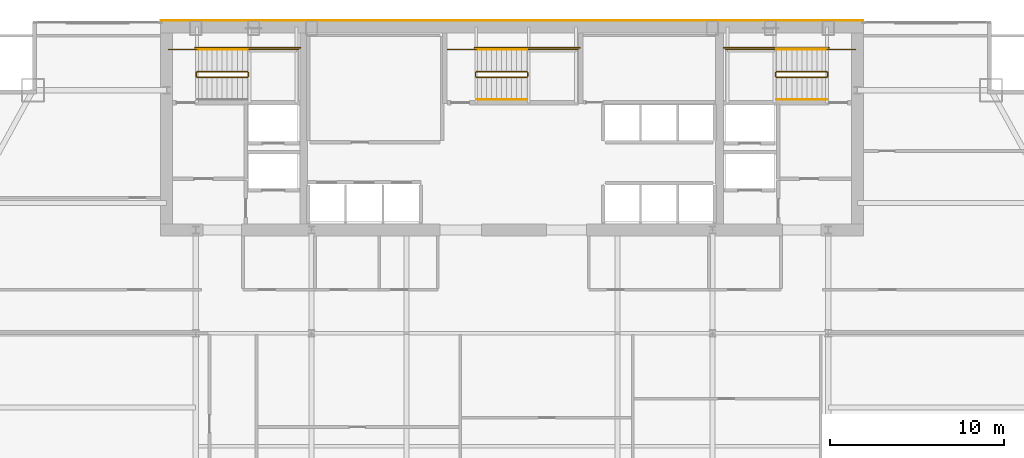
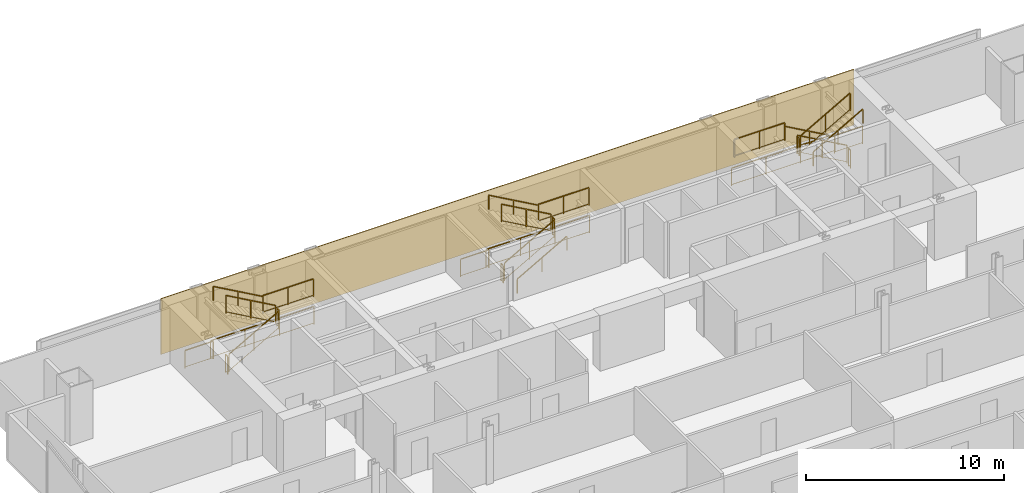
# One storey, part 29 of 29: 26 railings, 1 covering.
"""IFC4 building model written with IfcOpenShell, lengths in metres."""

from ifc_helpers import new_model, si_unit, direction, frame, origin, origin_2d, place, context, subcontext, project, spatial, polyline, rectangle, outline, extrude, material, layer, layer_set, type_object, element, save


model = new_model("IFC4")

# Units and contexts
model_context = context("Model", 3, precision=1e-05, world=origin(), true_north=direction((0.0, 1.0)))
body_context = subcontext(model_context, "Body", "Model", "MODEL_VIEW")
ifc_project = project(units=[si_unit("LENGTHUNIT", "METRE"), si_unit("AREAUNIT", "SQUARE_METRE"), si_unit("VOLUMEUNIT", "CUBIC_METRE"), si_unit("PLANEANGLEUNIT", "RADIAN"), si_unit("MASSUNIT", "GRAM", prefix="KILO")], contexts=[model_context])

# Site, building, storey
site_placement = place(None, origin())
site = spatial("IfcSite", under=ifc_project, at=site_placement, CompositionType="ELEMENT")
building_placement = place(site_placement, origin())
building = spatial("IfcBuilding", under=site, at=building_placement, Name="Khoronbel Lancet Exchange", CompositionType="ELEMENT")
storey_placement = place(building_placement, frame((0.0, 0.0, 143.39990234375)))
storey = spatial("IfcBuildingStorey", under=building, at=storey_placement, Name="L35", CompositionType="ELEMENT", Elevation=143.39990234375)

# Covering
ifc_material_1 = material(Name="Honed Egyptian Limestone & Bronze Rainscreen", Category="masonry")
ifc_layer = layer(ifc_material_1, 0.050048828125, Name="Honed Egyptian Limestone & Bronze Rainscreen")
ifc_layer_set = layer_set([ifc_layer], Name="Honed Egyptian Limestone & Bronze Rainscreen")
covering_type = type_object("IfcCoveringType", Name="COV-CLAD1", PredefinedType="CLADDING", material=ifc_layer_set)
covering_placement = place(storey_placement, origin())
element("IfcCovering", 1, at=covering_placement, inside=storey, type_object=covering_type, Name="Level L35 north rear-core stone and bronze rainscreen cladding", PredefinedType="CLADDING", context=body_context, shape_type="SweptSolid", body=[
    extrude(outline(polyline([(16.199951171875, 53.699951171875), (56.699951171875, 53.699951171875), (56.699951171875, 53.75), (16.199951171875, 53.75), (16.199951171875, 53.699951171875)])), origin(), (0.0, 0.0, 1.0), 3.440185546875),
])

# Railings
ifc_material_2 = material(Name="Painted Steel Balustrade", Category="steel")
railing_type_1 = type_object("IfcRailingType", Name="RL-STG110", PredefinedType="GUARDRAIL", material=ifc_material_2)
railing_1_placement = place(storey_placement, frame((18.300048828125, 50.449951171875, 0.163818359375)))
element("IfcRailing", 2, at=railing_1_placement, inside=storey, type_object=railing_type_1, Name="L35 ST1 stair guard 1", PredefinedType="GUARDRAIL", context=body_context, shape_type="SweptSolid", body=[
    extrude(rectangle(XDim=0.048095703125, YDim=0.048095703125, at=origin_2d()), frame((0.0, 0.0, 1.09619140625), z_axis=(0.870928581787, 0.0, 0.491409610636), x_axis=(0.0, 1.0, 0.0)), (0.0, 0.0, 1.0), 3.32958984375),
    extrude(rectangle(XDim=0.02392578125, YDim=0.02392578125, at=origin_2d()), frame((0.0, 0.0, 0.080078125), z_axis=(0.870928581787, 0.0, 0.491409610636), x_axis=(0.0, 1.0, 0.0)), (0.0, 0.0, 1.0), 3.32958984375),
    extrude(rectangle(XDim=0.0419921875, YDim=0.0419921875, at=origin_2d()), origin(), (0.0, 0.0, 1.0), 1.072021484375),
    extrude(rectangle(XDim=0.0419921875, YDim=0.0419921875, at=origin_2d()), frame((1.449951171875, 0.0, 0.818115234375)), (0.0, 0.0, 1.0), 1.072021484375),
    extrude(rectangle(XDim=0.0419921875, YDim=0.0419921875, at=origin_2d()), frame((2.89990234375, 0.0, 1.63623046875)), (0.0, 0.0, 1.0), 1.072021484375),
])
railing_2_placement = place(storey_placement, frame((21.25, 50.5, 1.800048828125)))
element("IfcRailing", 3, at=railing_2_placement, inside=storey, type_object=railing_type_1, Name="L35 ST1 stair guard 2", PredefinedType="GUARDRAIL", context=body_context, shape_type="SweptSolid", body=[
    extrude(rectangle(XDim=0.048095703125, YDim=0.048095703125, at=origin_2d()), frame((0.0, 0.0, 1.09619140625), z_axis=(0.0, 1.0, 0.0), x_axis=(-1.0, 0.0, 0.0)), (0.0, 0.0, 1.0), 0.219970703125),
    extrude(rectangle(XDim=0.02392578125, YDim=0.02392578125, at=origin_2d()), frame((0.0, 0.0, 0.080078125), z_axis=(0.0, 1.0, 0.0), x_axis=(-1.0, 0.0, 0.0)), (0.0, 0.0, 1.0), 0.219970703125),
    extrude(rectangle(XDim=0.0419921875, YDim=0.0419921875, at=origin_2d()), origin(), (0.0, 0.0, 1.0), 1.072021484375),
    extrude(rectangle(XDim=0.0419921875, YDim=0.0419921875, at=origin_2d()), frame((0.0, 0.219970703125, 0.0)), (0.0, 0.0, 1.0), 1.072021484375),
])
railing_3_placement = place(storey_placement, frame((21.199951171875, 52.050048828125, 1.800048828125)))
element("IfcRailing", 4, at=railing_3_placement, inside=storey, type_object=railing_type_1, Name="L35 ST1 stair guard 3", PredefinedType="GUARDRAIL", context=body_context, shape_type="SweptSolid", body=[
    extrude(rectangle(XDim=0.048095703125, YDim=0.048095703125, at=origin_2d()), frame((0.0, 0.0, 1.09619140625), z_axis=(1.0, 0.0, 0.0), x_axis=(0.0, 1.0, 0.0)), (0.0, 0.0, 1.0), 2.949951171875),
    extrude(rectangle(XDim=0.02392578125, YDim=0.02392578125, at=origin_2d()), frame((0.0, 0.0, 0.080078125), z_axis=(1.0, 0.0, 0.0), x_axis=(0.0, 1.0, 0.0)), (0.0, 0.0, 1.0), 2.949951171875),
    extrude(rectangle(XDim=0.0419921875, YDim=0.0419921875, at=origin_2d()), origin(), (0.0, 0.0, 1.0), 1.072021484375),
    extrude(rectangle(XDim=0.0419921875, YDim=0.0419921875, at=origin_2d()), frame((1.47509765625, 0.0, 0.0)), (0.0, 0.0, 1.0), 1.072021484375),
    extrude(rectangle(XDim=0.0419921875, YDim=0.0419921875, at=origin_2d()), frame((2.949951171875, 0.0, 0.0)), (0.0, 0.0, 1.0), 1.072021484375),
])
railing_4_placement = place(storey_placement, frame((21.199951171875, 50.77001953125, 1.963623046875)))
element("IfcRailing", 5, at=railing_4_placement, inside=storey, type_object=railing_type_1, Name="L35 ST1 stair guard 4", PredefinedType="GUARDRAIL", context=body_context, shape_type="SweptSolid", body=[
    extrude(rectangle(XDim=0.048095703125, YDim=0.048095703125, at=origin_2d()), frame((0.0, 0.0, 1.09619140625), z_axis=(-0.870897200241, 0.0, 0.491465224214), x_axis=(0.0, -1.0, 0.0)), (0.0, 0.0, 1.0), 3.329833984375),
    extrude(rectangle(XDim=0.02392578125, YDim=0.02392578125, at=origin_2d()), frame((0.0, 0.0, 0.080078125), z_axis=(-0.870897200241, 0.0, 0.491465224214), x_axis=(0.0, -1.0, 0.0)), (0.0, 0.0, 1.0), 3.329833984375),
    extrude(rectangle(XDim=0.0419921875, YDim=0.0419921875, at=origin_2d()), origin(), (0.0, 0.0, 1.0), 1.072021484375),
    extrude(rectangle(XDim=0.0419921875, YDim=0.0419921875, at=origin_2d()), frame((-1.449951171875, 0.0, 0.818359375)), (0.0, 0.0, 1.0), 1.072021484375),
    extrude(rectangle(XDim=0.0419921875, YDim=0.0419921875, at=origin_2d()), frame((-2.89990234375, 0.0, 1.636474609375)), (0.0, 0.0, 1.0), 1.072021484375),
])
railing_5_placement = place(storey_placement, frame((18.25, 50.5, 0.0)))
element("IfcRailing", 6, at=railing_5_placement, inside=storey, type_object=railing_type_1, Name="L35 ST1 stair guard 5", PredefinedType="GUARDRAIL", context=body_context, shape_type="SweptSolid", body=[
    extrude(rectangle(XDim=0.048095703125, YDim=0.048095703125, at=origin_2d()), frame((0.0, 0.0, 1.09619140625), z_axis=(0.0, 1.0, 0.0), x_axis=(-1.0, 0.0, 0.0)), (0.0, 0.0, 1.0), 0.219970703125),
    extrude(rectangle(XDim=0.02392578125, YDim=0.02392578125, at=origin_2d()), frame((0.0, 0.0, 0.080078125), z_axis=(0.0, 1.0, 0.0), x_axis=(-1.0, 0.0, 0.0)), (0.0, 0.0, 1.0), 0.219970703125),
    extrude(rectangle(XDim=0.0419921875, YDim=0.0419921875, at=origin_2d()), origin(), (0.0, 0.0, 1.0), 1.072021484375),
    extrude(rectangle(XDim=0.0419921875, YDim=0.0419921875, at=origin_2d()), frame((0.0, 0.219970703125, 0.0)), (0.0, 0.0, 1.0), 1.072021484375),
])
railing_6_placement = place(storey_placement, frame((16.64990234375, 52.050048828125, 0.0)))
element("IfcRailing", 7, at=railing_6_placement, inside=storey, type_object=railing_type_1, Name="L35 ST1 stair guard 6", PredefinedType="GUARDRAIL", context=body_context, shape_type="SweptSolid", body=[
    extrude(rectangle(XDim=0.048095703125, YDim=0.048095703125, at=origin_2d()), frame((0.0, 0.0, 1.09619140625), z_axis=(1.0, 0.0, 0.0), x_axis=(0.0, 1.0, 0.0)), (0.0, 0.0, 1.0), 1.650146484375),
    extrude(rectangle(XDim=0.02392578125, YDim=0.02392578125, at=origin_2d()), frame((0.0, 0.0, 0.080078125), z_axis=(1.0, 0.0, 0.0), x_axis=(0.0, 1.0, 0.0)), (0.0, 0.0, 1.0), 1.650146484375),
    extrude(rectangle(XDim=0.0419921875, YDim=0.0419921875, at=origin_2d()), origin(), (0.0, 0.0, 1.0), 1.072021484375),
    extrude(rectangle(XDim=0.0419921875, YDim=0.0419921875, at=origin_2d()), frame((1.650146484375, 0.0, 0.0)), (0.0, 0.0, 1.0), 1.072021484375),
])
railing_7_placement = place(storey_placement, frame((18.199951171875, 52.14990234375, 0.0)))
element("IfcRailing", 8, at=railing_7_placement, inside=storey, type_object=railing_type_1, Name="L35 ST1 stair guard 7", PredefinedType="GUARDRAIL", context=body_context, shape_type="SweptSolid", body=[
    extrude(rectangle(XDim=0.048095703125, YDim=0.048095703125, at=origin_2d()), frame((0.0, 0.0, 1.09619140625), z_axis=(1.0, 0.0, 0.0), x_axis=(0.0, 1.0, 0.0)), (0.0, 0.0, 1.0), 6.050048828125),
    extrude(rectangle(XDim=0.02392578125, YDim=0.02392578125, at=origin_2d()), frame((0.0, 0.0, 0.080078125), z_axis=(1.0, 0.0, 0.0), x_axis=(0.0, 1.0, 0.0)), (0.0, 0.0, 1.0), 6.050048828125),
    extrude(rectangle(XDim=0.0419921875, YDim=0.0419921875, at=origin_2d()), origin(), (0.0, 0.0, 1.0), 1.072021484375),
    extrude(rectangle(XDim=0.0419921875, YDim=0.0419921875, at=origin_2d()), frame((2.0166015625, 0.0, 0.0)), (0.0, 0.0, 1.0), 1.072021484375),
    extrude(rectangle(XDim=0.0419921875, YDim=0.0419921875, at=origin_2d()), frame((4.033447265625, 0.0, 0.0)), (0.0, 0.0, 1.0), 1.072021484375),
    extrude(rectangle(XDim=0.0419921875, YDim=0.0419921875, at=origin_2d()), frame((6.050048828125, 0.0, 0.0)), (0.0, 0.0, 1.0), 1.072021484375),
])
railing_8_placement = place(storey_placement, frame((54.60009765625, 50.77001953125, 0.163818359375)))
element("IfcRailing", 9, at=railing_8_placement, inside=storey, type_object=railing_type_1, Name="L35 ST2 stair guard 1", PredefinedType="GUARDRAIL", context=body_context, shape_type="SweptSolid", body=[
    extrude(rectangle(XDim=0.048095703125, YDim=0.048095703125, at=origin_2d()), frame((0.0, 0.0, 1.09619140625), z_axis=(-0.870946286338, 0.0, 0.49137823142), x_axis=(0.0, -1.0, 0.0)), (0.0, 0.0, 1.0), 3.329833984375),
    extrude(rectangle(XDim=0.02392578125, YDim=0.02392578125, at=origin_2d()), frame((0.0, 0.0, 0.080078125), z_axis=(-0.870946286338, 0.0, 0.49137823142), x_axis=(0.0, -1.0, 0.0)), (0.0, 0.0, 1.0), 3.329833984375),
    extrude(rectangle(XDim=0.0419921875, YDim=0.0419921875, at=origin_2d()), origin(), (0.0, 0.0, 1.0), 1.072021484375),
    extrude(rectangle(XDim=0.0419921875, YDim=0.0419921875, at=origin_2d()), frame((-1.4501953125, 0.0, 0.818115234375)), (0.0, 0.0, 1.0), 1.072021484375),
    extrude(rectangle(XDim=0.0419921875, YDim=0.0419921875, at=origin_2d()), frame((-2.900146484375, 0.0, 1.63623046875)), (0.0, 0.0, 1.0), 1.072021484375),
])
railing_9_placement = place(storey_placement, frame((51.64990234375, 50.719970703125, 1.800048828125)))
element("IfcRailing", 10, at=railing_9_placement, inside=storey, type_object=railing_type_1, Name="L35 ST2 stair guard 2", PredefinedType="GUARDRAIL", context=body_context, shape_type="SweptSolid", body=[
    extrude(rectangle(XDim=0.048095703125, YDim=0.048095703125, at=origin_2d()), frame((0.0, 0.0, 1.09619140625), z_axis=(0.0, -1.0, 0.0), x_axis=(1.0, 0.0, 0.0)), (0.0, 0.0, 1.0), 0.219970703125),
    extrude(rectangle(XDim=0.02392578125, YDim=0.02392578125, at=origin_2d()), frame((0.0, 0.0, 0.080078125), z_axis=(0.0, -1.0, 0.0), x_axis=(1.0, 0.0, 0.0)), (0.0, 0.0, 1.0), 0.219970703125),
    extrude(rectangle(XDim=0.0419921875, YDim=0.0419921875, at=origin_2d()), origin(), (0.0, 0.0, 1.0), 1.072021484375),
    extrude(rectangle(XDim=0.0419921875, YDim=0.0419921875, at=origin_2d()), frame((0.0, -0.219970703125, 0.0)), (0.0, 0.0, 1.0), 1.072021484375),
])
railing_10_placement = place(storey_placement, frame((51.699951171875, 52.050048828125, 1.800048828125)))
element("IfcRailing", 11, at=railing_10_placement, inside=storey, type_object=railing_type_1, Name="L35 ST2 stair guard 3", PredefinedType="GUARDRAIL", context=body_context, shape_type="SweptSolid", body=[
    extrude(rectangle(XDim=0.048095703125, YDim=0.048095703125, at=origin_2d()), frame((0.0, 0.0, 1.09619140625), z_axis=(-1.0, 0.0, 0.0), x_axis=(0.0, -1.0, 0.0)), (0.0, 0.0, 1.0), 2.949951171875),
    extrude(rectangle(XDim=0.02392578125, YDim=0.02392578125, at=origin_2d()), frame((0.0, 0.0, 0.080078125), z_axis=(-1.0, 0.0, 0.0), x_axis=(0.0, -1.0, 0.0)), (0.0, 0.0, 1.0), 2.949951171875),
    extrude(rectangle(XDim=0.0419921875, YDim=0.0419921875, at=origin_2d()), origin(), (0.0, 0.0, 1.0), 1.072021484375),
    extrude(rectangle(XDim=0.0419921875, YDim=0.0419921875, at=origin_2d()), frame((-1.47509765625, 0.0, 0.0)), (0.0, 0.0, 1.0), 1.072021484375),
    extrude(rectangle(XDim=0.0419921875, YDim=0.0419921875, at=origin_2d()), frame((-2.949951171875, 0.0, 0.0)), (0.0, 0.0, 1.0), 1.072021484375),
])
railing_11_placement = place(storey_placement, frame((51.699951171875, 50.449951171875, 1.963623046875)))
element("IfcRailing", 12, at=railing_11_placement, inside=storey, type_object=railing_type_1, Name="L35 ST2 stair guard 4", PredefinedType="GUARDRAIL", context=body_context, shape_type="SweptSolid", body=[
    extrude(rectangle(XDim=0.048095703125, YDim=0.048095703125, at=origin_2d()), frame((0.0, 0.0, 1.09619140625), z_axis=(0.870914908162, 0.0, 0.491433843708), x_axis=(0.0, 1.0, 0.0)), (0.0, 0.0, 1.0), 3.330078125),
    extrude(rectangle(XDim=0.02392578125, YDim=0.02392578125, at=origin_2d()), frame((0.0, 0.0, 0.080078125), z_axis=(0.870914908162, 0.0, 0.491433843708), x_axis=(0.0, 1.0, 0.0)), (0.0, 0.0, 1.0), 3.330078125),
    extrude(rectangle(XDim=0.0419921875, YDim=0.0419921875, at=origin_2d()), origin(), (0.0, 0.0, 1.0), 1.072021484375),
    extrude(rectangle(XDim=0.0419921875, YDim=0.0419921875, at=origin_2d()), frame((1.4501953125, 0.0, 0.818359375)), (0.0, 0.0, 1.0), 1.072021484375),
    extrude(rectangle(XDim=0.0419921875, YDim=0.0419921875, at=origin_2d()), frame((2.900146484375, 0.0, 1.636474609375)), (0.0, 0.0, 1.0), 1.072021484375),
])
railing_12_placement = place(storey_placement, frame((54.64990234375, 50.719970703125, 0.0)))
element("IfcRailing", 13, at=railing_12_placement, inside=storey, type_object=railing_type_1, Name="L35 ST2 stair guard 5", PredefinedType="GUARDRAIL", context=body_context, shape_type="SweptSolid", body=[
    extrude(rectangle(XDim=0.048095703125, YDim=0.048095703125, at=origin_2d()), frame((0.0, 0.0, 1.09619140625), z_axis=(0.0, -1.0, 0.0), x_axis=(1.0, 0.0, 0.0)), (0.0, 0.0, 1.0), 0.219970703125),
    extrude(rectangle(XDim=0.02392578125, YDim=0.02392578125, at=origin_2d()), frame((0.0, 0.0, 0.080078125), z_axis=(0.0, -1.0, 0.0), x_axis=(1.0, 0.0, 0.0)), (0.0, 0.0, 1.0), 0.219970703125),
    extrude(rectangle(XDim=0.0419921875, YDim=0.0419921875, at=origin_2d()), origin(), (0.0, 0.0, 1.0), 1.072021484375),
    extrude(rectangle(XDim=0.0419921875, YDim=0.0419921875, at=origin_2d()), frame((0.0, -0.219970703125, 0.0)), (0.0, 0.0, 1.0), 1.072021484375),
])
railing_13_placement = place(storey_placement, frame((56.25, 52.050048828125, 0.0)))
element("IfcRailing", 14, at=railing_13_placement, inside=storey, type_object=railing_type_1, Name="L35 ST2 stair guard 6", PredefinedType="GUARDRAIL", context=body_context, shape_type="SweptSolid", body=[
    extrude(rectangle(XDim=0.048095703125, YDim=0.048095703125, at=origin_2d()), frame((0.0, 0.0, 1.09619140625), z_axis=(-1.0, 0.0, 0.0), x_axis=(0.0, -1.0, 0.0)), (0.0, 0.0, 1.0), 1.64990234375),
    extrude(rectangle(XDim=0.02392578125, YDim=0.02392578125, at=origin_2d()), frame((0.0, 0.0, 0.080078125), z_axis=(-1.0, 0.0, 0.0), x_axis=(0.0, -1.0, 0.0)), (0.0, 0.0, 1.0), 1.64990234375),
    extrude(rectangle(XDim=0.0419921875, YDim=0.0419921875, at=origin_2d()), origin(), (0.0, 0.0, 1.0), 1.072021484375),
    extrude(rectangle(XDim=0.0419921875, YDim=0.0419921875, at=origin_2d()), frame((-1.64990234375, 0.0, 0.0)), (0.0, 0.0, 1.0), 1.072021484375),
])
railing_14_placement = place(storey_placement, frame((54.699951171875, 52.14990234375, 0.0)))
element("IfcRailing", 15, at=railing_14_placement, inside=storey, type_object=railing_type_1, Name="L35 ST2 stair guard 7", PredefinedType="GUARDRAIL", context=body_context, shape_type="SweptSolid", body=[
    extrude(rectangle(XDim=0.048095703125, YDim=0.048095703125, at=origin_2d()), frame((0.0, 0.0, 1.09619140625), z_axis=(-1.0, 0.0, 0.0), x_axis=(0.0, -1.0, 0.0)), (0.0, 0.0, 1.0), 6.050048828125),
    extrude(rectangle(XDim=0.02392578125, YDim=0.02392578125, at=origin_2d()), frame((0.0, 0.0, 0.080078125), z_axis=(-1.0, 0.0, 0.0), x_axis=(0.0, -1.0, 0.0)), (0.0, 0.0, 1.0), 6.050048828125),
    extrude(rectangle(XDim=0.0419921875, YDim=0.0419921875, at=origin_2d()), origin(), (0.0, 0.0, 1.0), 1.072021484375),
    extrude(rectangle(XDim=0.0419921875, YDim=0.0419921875, at=origin_2d()), frame((-2.0166015625, 0.0, 0.0)), (0.0, 0.0, 1.0), 1.072021484375),
    extrude(rectangle(XDim=0.0419921875, YDim=0.0419921875, at=origin_2d()), frame((-4.033447265625, 0.0, 0.0)), (0.0, 0.0, 1.0), 1.072021484375),
    extrude(rectangle(XDim=0.0419921875, YDim=0.0419921875, at=origin_2d()), frame((-6.050048828125, 0.0, 0.0)), (0.0, 0.0, 1.0), 1.072021484375),
])
railing_15_placement = place(storey_placement, frame((34.39990234375, 50.449951171875, 0.163818359375)))
element("IfcRailing", 16, at=railing_15_placement, inside=storey, type_object=railing_type_1, Name="L35 ST3 stair guard 1", PredefinedType="GUARDRAIL", context=body_context, shape_type="SweptSolid", body=[
    extrude(rectangle(XDim=0.048095703125, YDim=0.048095703125, at=origin_2d()), frame((0.0, 0.0, 1.09619140625), z_axis=(0.870946286338, 0.0, 0.49137823142), x_axis=(0.0, 1.0, 0.0)), (0.0, 0.0, 1.0), 3.329833984375),
    extrude(rectangle(XDim=0.02392578125, YDim=0.02392578125, at=origin_2d()), frame((0.0, 0.0, 0.080078125), z_axis=(0.870946286338, 0.0, 0.49137823142), x_axis=(0.0, 1.0, 0.0)), (0.0, 0.0, 1.0), 3.329833984375),
    extrude(rectangle(XDim=0.0419921875, YDim=0.0419921875, at=origin_2d()), origin(), (0.0, 0.0, 1.0), 1.072021484375),
    extrude(rectangle(XDim=0.0419921875, YDim=0.0419921875, at=origin_2d()), frame((1.4501953125, 0.0, 0.818115234375)), (0.0, 0.0, 1.0), 1.072021484375),
    extrude(rectangle(XDim=0.0419921875, YDim=0.0419921875, at=origin_2d()), frame((2.900146484375, 0.0, 1.63623046875)), (0.0, 0.0, 1.0), 1.072021484375),
])
railing_16_placement = place(storey_placement, frame((37.35009765625, 50.5, 1.800048828125)))
element("IfcRailing", 17, at=railing_16_placement, inside=storey, type_object=railing_type_1, Name="L35 ST3 stair guard 2", PredefinedType="GUARDRAIL", context=body_context, shape_type="SweptSolid", body=[
    extrude(rectangle(XDim=0.048095703125, YDim=0.048095703125, at=origin_2d()), frame((0.0, 0.0, 1.09619140625), z_axis=(0.0, 1.0, 0.0), x_axis=(-1.0, 0.0, 0.0)), (0.0, 0.0, 1.0), 0.219970703125),
    extrude(rectangle(XDim=0.02392578125, YDim=0.02392578125, at=origin_2d()), frame((0.0, 0.0, 0.080078125), z_axis=(0.0, 1.0, 0.0), x_axis=(-1.0, 0.0, 0.0)), (0.0, 0.0, 1.0), 0.219970703125),
    extrude(rectangle(XDim=0.0419921875, YDim=0.0419921875, at=origin_2d()), origin(), (0.0, 0.0, 1.0), 1.072021484375),
    extrude(rectangle(XDim=0.0419921875, YDim=0.0419921875, at=origin_2d()), frame((0.0, 0.219970703125, 0.0)), (0.0, 0.0, 1.0), 1.072021484375),
])
railing_17_placement = place(storey_placement, frame((37.300048828125, 52.050048828125, 1.800048828125)))
element("IfcRailing", 18, at=railing_17_placement, inside=storey, type_object=railing_type_1, Name="L35 ST3 stair guard 3", PredefinedType="GUARDRAIL", context=body_context, shape_type="SweptSolid", body=[
    extrude(rectangle(XDim=0.048095703125, YDim=0.048095703125, at=origin_2d()), frame((0.0, 0.0, 1.09619140625), z_axis=(1.0, 0.0, 0.0), x_axis=(0.0, 1.0, 0.0)), (0.0, 0.0, 1.0), 2.949951171875),
    extrude(rectangle(XDim=0.02392578125, YDim=0.02392578125, at=origin_2d()), frame((0.0, 0.0, 0.080078125), z_axis=(1.0, 0.0, 0.0), x_axis=(0.0, 1.0, 0.0)), (0.0, 0.0, 1.0), 2.949951171875),
    extrude(rectangle(XDim=0.0419921875, YDim=0.0419921875, at=origin_2d()), origin(), (0.0, 0.0, 1.0), 1.072021484375),
    extrude(rectangle(XDim=0.0419921875, YDim=0.0419921875, at=origin_2d()), frame((1.47509765625, 0.0, 0.0)), (0.0, 0.0, 1.0), 1.072021484375),
    extrude(rectangle(XDim=0.0419921875, YDim=0.0419921875, at=origin_2d()), frame((2.949951171875, 0.0, 0.0)), (0.0, 0.0, 1.0), 1.072021484375),
])
railing_18_placement = place(storey_placement, frame((37.300048828125, 50.77001953125, 1.963623046875)))
element("IfcRailing", 19, at=railing_18_placement, inside=storey, type_object=railing_type_1, Name="L35 ST3 stair guard 4", PredefinedType="GUARDRAIL", context=body_context, shape_type="SweptSolid", body=[
    extrude(rectangle(XDim=0.048095703125, YDim=0.048095703125, at=origin_2d()), frame((0.0, 0.0, 1.09619140625), z_axis=(-0.870914908162, 0.0, 0.491433843708), x_axis=(0.0, -1.0, 0.0)), (0.0, 0.0, 1.0), 3.330078125),
    extrude(rectangle(XDim=0.02392578125, YDim=0.02392578125, at=origin_2d()), frame((0.0, 0.0, 0.080078125), z_axis=(-0.870914908162, 0.0, 0.491433843708), x_axis=(0.0, -1.0, 0.0)), (0.0, 0.0, 1.0), 3.330078125),
    extrude(rectangle(XDim=0.0419921875, YDim=0.0419921875, at=origin_2d()), origin(), (0.0, 0.0, 1.0), 1.072021484375),
    extrude(rectangle(XDim=0.0419921875, YDim=0.0419921875, at=origin_2d()), frame((-1.4501953125, 0.0, 0.818359375)), (0.0, 0.0, 1.0), 1.072021484375),
    extrude(rectangle(XDim=0.0419921875, YDim=0.0419921875, at=origin_2d()), frame((-2.900146484375, 0.0, 1.636474609375)), (0.0, 0.0, 1.0), 1.072021484375),
])
railing_19_placement = place(storey_placement, frame((34.35009765625, 50.5, 0.0)))
element("IfcRailing", 20, at=railing_19_placement, inside=storey, type_object=railing_type_1, Name="L35 ST3 stair guard 5", PredefinedType="GUARDRAIL", context=body_context, shape_type="SweptSolid", body=[
    extrude(rectangle(XDim=0.048095703125, YDim=0.048095703125, at=origin_2d()), frame((0.0, 0.0, 1.09619140625), z_axis=(0.0, 1.0, 0.0), x_axis=(-1.0, 0.0, 0.0)), (0.0, 0.0, 1.0), 0.219970703125),
    extrude(rectangle(XDim=0.02392578125, YDim=0.02392578125, at=origin_2d()), frame((0.0, 0.0, 0.080078125), z_axis=(0.0, 1.0, 0.0), x_axis=(-1.0, 0.0, 0.0)), (0.0, 0.0, 1.0), 0.219970703125),
    extrude(rectangle(XDim=0.0419921875, YDim=0.0419921875, at=origin_2d()), origin(), (0.0, 0.0, 1.0), 1.072021484375),
    extrude(rectangle(XDim=0.0419921875, YDim=0.0419921875, at=origin_2d()), frame((0.0, 0.219970703125, 0.0)), (0.0, 0.0, 1.0), 1.072021484375),
])
railing_20_placement = place(storey_placement, frame((32.75, 52.050048828125, 0.0)))
element("IfcRailing", 21, at=railing_20_placement, inside=storey, type_object=railing_type_1, Name="L35 ST3 stair guard 6", PredefinedType="GUARDRAIL", context=body_context, shape_type="SweptSolid", body=[
    extrude(rectangle(XDim=0.048095703125, YDim=0.048095703125, at=origin_2d()), frame((0.0, 0.0, 1.09619140625), z_axis=(1.0, 0.0, 0.0), x_axis=(0.0, 1.0, 0.0)), (0.0, 0.0, 1.0), 1.64990234375),
    extrude(rectangle(XDim=0.02392578125, YDim=0.02392578125, at=origin_2d()), frame((0.0, 0.0, 0.080078125), z_axis=(1.0, 0.0, 0.0), x_axis=(0.0, 1.0, 0.0)), (0.0, 0.0, 1.0), 1.64990234375),
    extrude(rectangle(XDim=0.0419921875, YDim=0.0419921875, at=origin_2d()), origin(), (0.0, 0.0, 1.0), 1.072021484375),
    extrude(rectangle(XDim=0.0419921875, YDim=0.0419921875, at=origin_2d()), frame((1.64990234375, 0.0, 0.0)), (0.0, 0.0, 1.0), 1.072021484375),
])
railing_21_placement = place(storey_placement, frame((34.300048828125, 52.14990234375, 0.0)))
element("IfcRailing", 22, at=railing_21_placement, inside=storey, type_object=railing_type_1, Name="L35 ST3 stair guard 7", PredefinedType="GUARDRAIL", context=body_context, shape_type="SweptSolid", body=[
    extrude(rectangle(XDim=0.048095703125, YDim=0.048095703125, at=origin_2d()), frame((0.0, 0.0, 1.09619140625), z_axis=(1.0, 0.0, 0.0), x_axis=(0.0, 1.0, 0.0)), (0.0, 0.0, 1.0), 6.050048828125),
    extrude(rectangle(XDim=0.02392578125, YDim=0.02392578125, at=origin_2d()), frame((0.0, 0.0, 0.080078125), z_axis=(1.0, 0.0, 0.0), x_axis=(0.0, 1.0, 0.0)), (0.0, 0.0, 1.0), 6.050048828125),
    extrude(rectangle(XDim=0.0419921875, YDim=0.0419921875, at=origin_2d()), origin(), (0.0, 0.0, 1.0), 1.072021484375),
    extrude(rectangle(XDim=0.0419921875, YDim=0.0419921875, at=origin_2d()), frame((2.0166015625, 0.0, 0.0)), (0.0, 0.0, 1.0), 1.072021484375),
    extrude(rectangle(XDim=0.0419921875, YDim=0.0419921875, at=origin_2d()), frame((4.033447265625, 0.0, 0.0)), (0.0, 0.0, 1.0), 1.072021484375),
    extrude(rectangle(XDim=0.0419921875, YDim=0.0419921875, at=origin_2d()), frame((6.050048828125, 0.0, 0.0)), (0.0, 0.0, 1.0), 1.072021484375),
])
ifc_material_3 = material(Name="Brushed Stainless Steel 316", Category="steel")
railing_type_2 = type_object("IfcRailingType", Name="RL-STH92", PredefinedType="HANDRAIL", material=ifc_material_3)
railing_22_placement = place(storey_placement, frame((21.199951171875, 52.050048828125, 1.963623046875)))
element("IfcRailing", 23, at=railing_22_placement, inside=storey, type_object=railing_type_2, Name="L35 ST1 stair handrail 2", PredefinedType="HANDRAIL", context=body_context, shape_type="SweptSolid", body=[
    extrude(rectangle(XDim=0.048095703125, YDim=0.048095703125, at=origin_2d()), frame((0.0, 0.0, 0.8759765625), z_axis=(-0.870897200241, 0.0, 0.491465224214), x_axis=(0.0, -1.0, 0.0)), (0.0, 0.0, 1.0), 3.329833984375),
    extrude(rectangle(XDim=0.0419921875, YDim=0.0419921875, at=origin_2d()), origin(), (0.0, 0.0, 1.0), 0.851806640625),
    extrude(rectangle(XDim=0.0419921875, YDim=0.0419921875, at=origin_2d()), frame((-1.449951171875, 0.0, 0.818359375)), (0.0, 0.0, 1.0), 0.851806640625),
    extrude(rectangle(XDim=0.0419921875, YDim=0.0419921875, at=origin_2d()), frame((-2.89990234375, 0.0, 1.636474609375)), (0.0, 0.0, 1.0), 0.851806640625),
])
railing_23_placement = place(storey_placement, frame((54.60009765625, 52.050048828125, 0.163818359375)))
element("IfcRailing", 24, at=railing_23_placement, inside=storey, type_object=railing_type_2, Name="L35 ST2 stair handrail 1", PredefinedType="HANDRAIL", context=body_context, shape_type="SweptSolid", body=[
    extrude(rectangle(XDim=0.048095703125, YDim=0.048095703125, at=origin_2d()), frame((0.0, 0.0, 0.8759765625), z_axis=(-0.870946286338, 0.0, 0.49137823142), x_axis=(0.0, -1.0, 0.0)), (0.0, 0.0, 1.0), 3.329833984375),
    extrude(rectangle(XDim=0.0419921875, YDim=0.0419921875, at=origin_2d()), origin(), (0.0, 0.0, 1.0), 0.851806640625),
    extrude(rectangle(XDim=0.0419921875, YDim=0.0419921875, at=origin_2d()), frame((-1.4501953125, 0.0, 0.818115234375)), (0.0, 0.0, 1.0), 0.851806640625),
    extrude(rectangle(XDim=0.0419921875, YDim=0.0419921875, at=origin_2d()), frame((-2.900146484375, 0.0, 1.63623046875)), (0.0, 0.0, 1.0), 0.851806640625),
])
railing_24_placement = place(storey_placement, frame((51.699951171875, 49.169921875, 1.963623046875)))
element("IfcRailing", 25, at=railing_24_placement, inside=storey, type_object=railing_type_2, Name="L35 ST2 stair handrail 2", PredefinedType="HANDRAIL", context=body_context, shape_type="SweptSolid", body=[
    extrude(rectangle(XDim=0.048095703125, YDim=0.048095703125, at=origin_2d()), frame((0.0, 0.0, 0.8759765625), z_axis=(0.870914908162, 0.0, 0.491433843708), x_axis=(0.0, 1.0, 0.0)), (0.0, 0.0, 1.0), 3.330078125),
    extrude(rectangle(XDim=0.0419921875, YDim=0.0419921875, at=origin_2d()), origin(), (0.0, 0.0, 1.0), 0.851806640625),
    extrude(rectangle(XDim=0.0419921875, YDim=0.0419921875, at=origin_2d()), frame((1.4501953125, 0.0, 0.818359375)), (0.0, 0.0, 1.0), 0.851806640625),
    extrude(rectangle(XDim=0.0419921875, YDim=0.0419921875, at=origin_2d()), frame((2.900146484375, 0.0, 1.636474609375)), (0.0, 0.0, 1.0), 0.851806640625),
])
railing_25_placement = place(storey_placement, frame((34.39990234375, 49.169921875, 0.163818359375)))
element("IfcRailing", 26, at=railing_25_placement, inside=storey, type_object=railing_type_2, Name="L35 ST3 stair handrail 1", PredefinedType="HANDRAIL", context=body_context, shape_type="SweptSolid", body=[
    extrude(rectangle(XDim=0.048095703125, YDim=0.048095703125, at=origin_2d()), frame((0.0, 0.0, 0.8759765625), z_axis=(0.870946286338, 0.0, 0.49137823142), x_axis=(0.0, 1.0, 0.0)), (0.0, 0.0, 1.0), 3.329833984375),
    extrude(rectangle(XDim=0.0419921875, YDim=0.0419921875, at=origin_2d()), origin(), (0.0, 0.0, 1.0), 0.851806640625),
    extrude(rectangle(XDim=0.0419921875, YDim=0.0419921875, at=origin_2d()), frame((1.4501953125, 0.0, 0.818115234375)), (0.0, 0.0, 1.0), 0.851806640625),
    extrude(rectangle(XDim=0.0419921875, YDim=0.0419921875, at=origin_2d()), frame((2.900146484375, 0.0, 1.63623046875)), (0.0, 0.0, 1.0), 0.851806640625),
])
railing_26_placement = place(storey_placement, frame((37.300048828125, 52.050048828125, 1.963623046875)))
element("IfcRailing", 27, at=railing_26_placement, inside=storey, type_object=railing_type_2, Name="L35 ST3 stair handrail 2", PredefinedType="HANDRAIL", context=body_context, shape_type="SweptSolid", body=[
    extrude(rectangle(XDim=0.048095703125, YDim=0.048095703125, at=origin_2d()), frame((0.0, 0.0, 0.8759765625), z_axis=(-0.870914908162, 0.0, 0.491433843708), x_axis=(0.0, -1.0, 0.0)), (0.0, 0.0, 1.0), 3.330078125),
    extrude(rectangle(XDim=0.0419921875, YDim=0.0419921875, at=origin_2d()), origin(), (0.0, 0.0, 1.0), 0.851806640625),
    extrude(rectangle(XDim=0.0419921875, YDim=0.0419921875, at=origin_2d()), frame((-1.4501953125, 0.0, 0.818359375)), (0.0, 0.0, 1.0), 0.851806640625),
    extrude(rectangle(XDim=0.0419921875, YDim=0.0419921875, at=origin_2d()), frame((-2.900146484375, 0.0, 1.636474609375)), (0.0, 0.0, 1.0), 0.851806640625),
])

save(model, "model.ifc")
